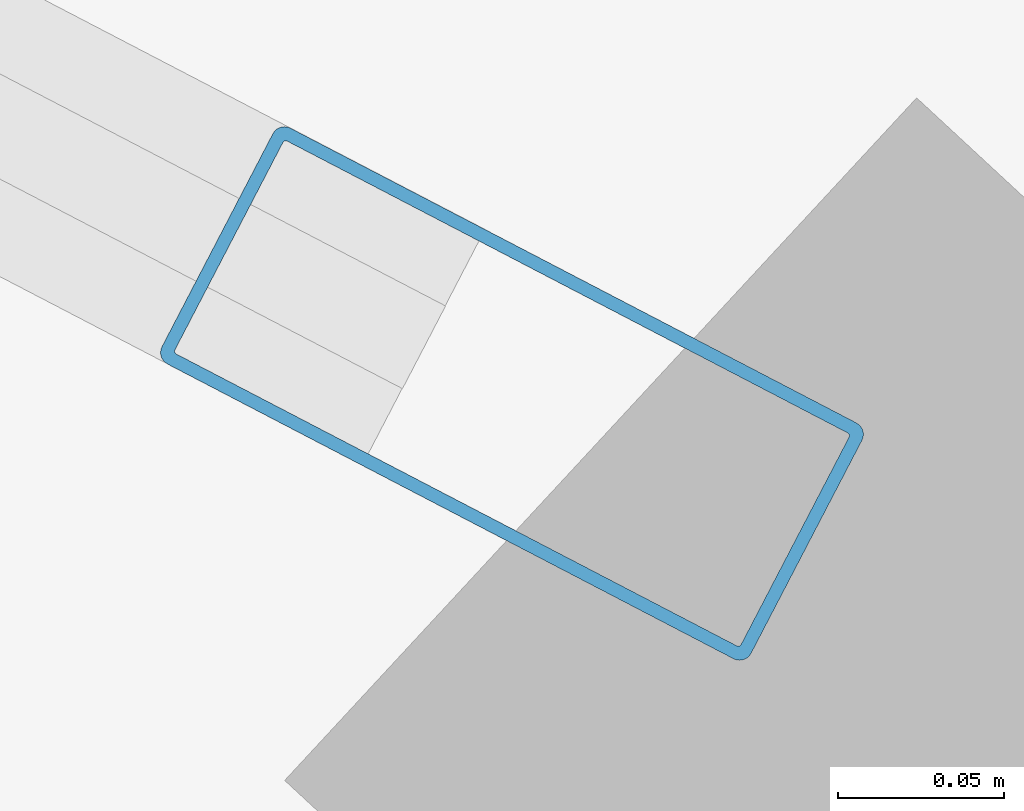
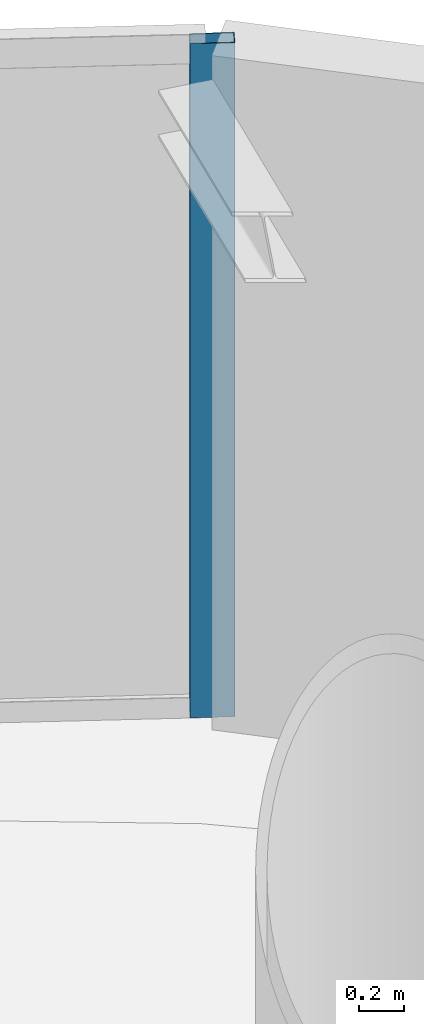
# One storey, part 16 of 25: 1 member, 1 element without a shape of its own.
"""IFC4 building model written with IfcOpenShell, lengths in metres."""

from ifc_helpers import new_model, si_unit, direction, frame, origin, origin_2d, place, context, subcontext, project, spatial, hollow_rectangle, extrude, material, layer, layer_set, material_profile, profile_set, type_object, element, aggregate, save


model = new_model("IFC4")

# Units and contexts
model_context = context("Model", 3, precision=1e-05, world=origin(), true_north=direction((0.0, 1.0)))
body_context = subcontext(model_context, "Body", "Model", "MODEL_VIEW")
ifc_project = project(units=[si_unit("LENGTHUNIT", "METRE"), si_unit("AREAUNIT", "SQUARE_METRE"), si_unit("VOLUMEUNIT", "CUBIC_METRE"), si_unit("PLANEANGLEUNIT", "RADIAN"), si_unit("MASSUNIT", "GRAM", prefix="KILO")], contexts=[model_context])

# Site, building, storey
site_placement = place(None, origin())
site = spatial("IfcSite", under=ifc_project, at=site_placement, CompositionType="ELEMENT")
building_placement = place(site_placement, origin())
building = spatial("IfcBuilding", under=site, at=building_placement, Name="Bramvorn Convention Spire", CompositionType="ELEMENT")
storey_placement = place(building_placement, frame((0.0, 0.0, 171.199951171875)))
storey = spatial("IfcBuildingStorey", under=building, at=storey_placement, Name="L43", CompositionType="ELEMENT", Elevation=171.199951171875)

# Curtain wall, member
ifc_material_1 = material(Name="Anodised Bronze Unitised Curtain Wall", Category="aluminium")
ifc_layer = layer(ifc_material_1, 0.179931640625)
ifc_layer_set = layer_set([ifc_layer], Name="Anodised Bronze Unitised Curtain Wall - CW-OFF-FRIT")
curtain_wall_type = type_object("IfcCurtainWallType", Name="CW-OFF-FRIT", PredefinedType="USERDEFINED", material=ifc_layer_set)
curtain_wall_placement = place(storey_placement, origin())
curtain_wall = element("IfcCurtainWall", 1, at=curtain_wall_placement, inside=storey, type_object=curtain_wall_type, Name="L43 fritted glass curtain wall 07", ObjectType="UNITISED CURTAIN WALL", PredefinedType="USERDEFINED")
ifc_material_2 = material(Name="Anodised Bronze Aluminium 6063-T6", Category="aluminium")
ifc_material_profile = material_profile(ifc_material_2, hollow_rectangle(XDim=0.080078125, YDim=0.199951171875, WallThickness=0.00390625, InnerFilletRadius=0.0009765625, OuterFilletRadius=0.00390625, at=origin_2d()))
ifc_profile_set = profile_set([ifc_material_profile], Name="Anodised Bronze Aluminium 6063-T6 - CWM80X200")
member_type = type_object("IfcMemberType", Name="CW-MUL-180", PredefinedType="MULLION", material=ifc_profile_set)
member_placement = place(storey_placement, frame((51.3154296875, 42.878173828125, 0.0), z_axis=(0.0, 0.0, 1.0), x_axis=(0.461806718149, 0.886980583256, 0.0)))
member = element("IfcMember", 2, at=member_placement, type_object=member_type, Name="CW3 mullion 2", PredefinedType="MULLION", context=body_context, shape_type="SweptSolid", body=[
    extrude(hollow_rectangle(XDim=0.080078125, YDim=0.199951171875, WallThickness=0.00390625, InnerFilletRadius=0.0009765625, OuterFilletRadius=0.00390625, at=origin_2d()), origin(), (0.0, 0.0, 1.0), 3.6201171875),
])
aggregate(curtain_wall, [member])

save(model, "model.ifc")
